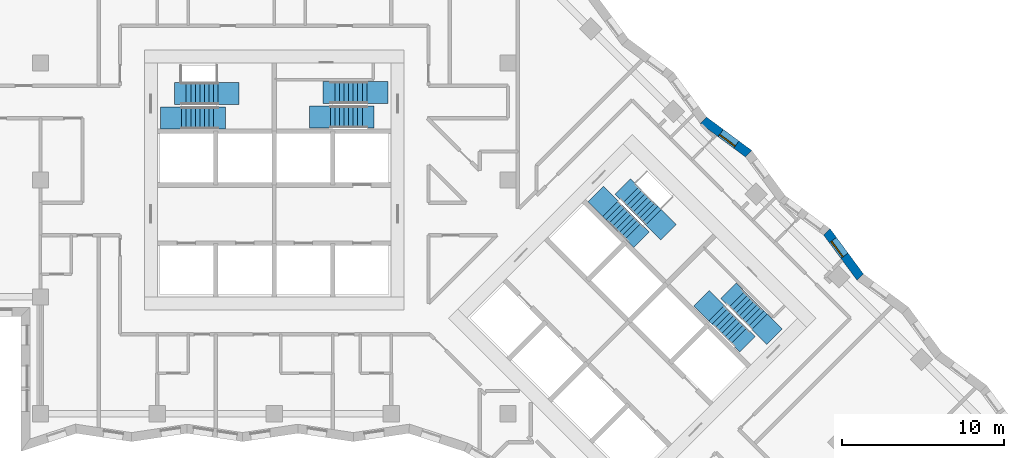
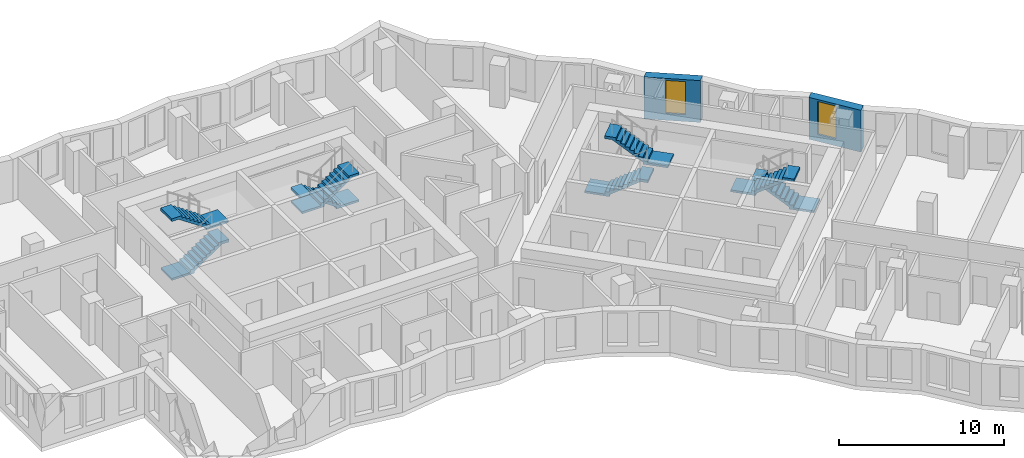
# One storey, part 11 of 13: 8 stair flights, 2 walls, 2 windows, 2 openings, 4 elements without a shape of their own.
"""IFC4 building model written with IfcOpenShell, lengths in metres."""

from ifc_helpers import new_model, si_unit, direction, frame, frame_2d, origin, place, context, subcontext, project, spatial, polyline, rectangle, outline, extrude, material, layer, layer_set, type_object, element, fill, aggregate, save


model = new_model("IFC4")

# Units and contexts
model_context = context("Model", 3, precision=1e-05, world=origin(), true_north=direction((0.0, 1.0)))
body_context = subcontext(model_context, "Body", "Model", "MODEL_VIEW")
ifc_project = project(units=[si_unit("LENGTHUNIT", "METRE"), si_unit("AREAUNIT", "SQUARE_METRE"), si_unit("VOLUMEUNIT", "CUBIC_METRE"), si_unit("PLANEANGLEUNIT", "RADIAN"), si_unit("MASSUNIT", "GRAM", prefix="KILO")], contexts=[model_context])

# Site, building, storey
site_placement = place(None, origin())
site = spatial("IfcSite", under=ifc_project, at=site_placement, CompositionType="ELEMENT")
building_placement = place(site_placement, origin())
building = spatial("IfcBuilding", under=site, at=building_placement, Name="Windrow Commons", CompositionType="ELEMENT")
storey_placement = place(building_placement, frame((0.0, 0.0, 105.0)))
storey = spatial("IfcBuildingStorey", under=building, at=storey_placement, Name="L28", CompositionType="ELEMENT", Elevation=105.0)

# Wall, opening, window
ifc_material_1 = material(Name="Brick masonry, red clay brick", Category="masonry")
ifc_layer = layer(ifc_material_1, 0.55)
ifc_layer_set = layer_set([ifc_layer], Name="Brick facade wall 550")
wall_type = type_object("IfcWallType", Name="Brick facade wall 550", PredefinedType="SOLIDWALL", material=ifc_layer_set)
wall_1_placement = place(storey_placement, frame((100.8839, 51.6199, 0.0), z_axis=(0.0, 0.0, 1.0), x_axis=(-0.5943168833, 0.8042309632, 0.0)))
wall_1 = element("IfcWall", 1, at=wall_1_placement, inside=storey, type_object=wall_type, Name="Brick facade wall L28 12", PredefinedType="SOLIDWALL", context=body_context, shape_type="SweptSolid", body=[
    extrude(outline(polyline([(0.0413, -0.275), (3.4907, -0.275), (3.4082, 0.275), (-0.0413, 0.275), (0.0413, -0.275)])), origin(), (0.0, 0.0, 1.0), 3.1),
])
opening_1_placement = place(wall_1_placement, frame((1.6312, 0.0, 0.5)))
opening_1 = element("IfcOpeningElement", 2, at=opening_1_placement, cuts=wall_1, Name="Opening W7D", PredefinedType="OPENING", context=body_context, shape_type="SweptSolid", body=[
    extrude(rectangle(XDim=1.2, YDim=2.45, at=frame_2d((0.6, 1.225))), frame((0.0, 0.285, 0.0), z_axis=(0.0, -1.0, 0.0), x_axis=(1.0, 0.0, 0.0)), (0.0, 0.0, 1.0), 0.57),
])
ifc_material_2 = material(Name="Clear float glass in anodised aluminium frame", Category="aluminium")
window_type = type_object("IfcWindowType", Name="Window W7 notch 1200x2450", PartitioningType="SINGLE_PANEL", PredefinedType="WINDOW", material=ifc_material_2)
window_1_placement = place(opening_1_placement, origin())
window_1 = element("IfcWindow", 3, at=window_1_placement, inside=storey, type_object=window_type, Name="Window L28 12.1", OverallHeight=2.45, OverallWidth=1.2, PartitioningType="SINGLE_PANEL", PredefinedType="WINDOW", context=body_context, shape_type="SweptSolid", body=[
    extrude(rectangle(XDim=1.2, YDim=2.45, at=frame_2d((0.6, 1.225))), frame((0.0, 0.155, 0.0), z_axis=(0.0, -1.0, 0.0), x_axis=(1.0, 0.0, 0.0)), (0.0, 0.0, 1.0), 0.06),
])
fill(opening_1, window_1)

wall_2_placement = place(storey_placement, frame((94.0095, 59.2183, 0.0), z_axis=(0.0, 0.0, 1.0), x_axis=(-0.8042207234, 0.5943307397, 0.0)))
wall_2 = element("IfcWall", 4, at=wall_2_placement, inside=storey, type_object=wall_type, Name="Brick facade wall L28 15", PredefinedType="SOLIDWALL", context=body_context, shape_type="SweptSolid", body=[
    extrude(outline(polyline([(-0.0413, -0.275), (3.4082, -0.275), (3.4907, 0.275), (0.0413, 0.275), (-0.0413, -0.275)])), origin(), (0.0, 0.0, 1.0), 3.1),
])
opening_2_placement = place(wall_2_placement, frame((0.9382, 0.0, 0.5)))
opening_2 = element("IfcOpeningElement", 5, at=opening_2_placement, cuts=wall_2, Name="Opening W7D", PredefinedType="OPENING", context=body_context, shape_type="SweptSolid", body=[
    extrude(rectangle(XDim=1.2, YDim=2.45, at=frame_2d((0.6, 1.225))), frame((0.0, 0.285, 0.0), z_axis=(0.0, -1.0, 0.0), x_axis=(1.0, 0.0, 0.0)), (0.0, 0.0, 1.0), 0.57),
])
window_2_placement = place(opening_2_placement, origin())
window_2 = element("IfcWindow", 6, at=window_2_placement, inside=storey, type_object=window_type, Name="Window L28 15.1", OverallHeight=2.45, OverallWidth=1.2, PartitioningType="SINGLE_PANEL", PredefinedType="WINDOW", context=body_context, shape_type="SweptSolid", body=[
    extrude(rectangle(XDim=1.2, YDim=2.45, at=frame_2d((0.6, 1.225))), frame((0.0, 0.155, 0.0), z_axis=(0.0, -1.0, 0.0), x_axis=(1.0, 0.0, 0.0)), (0.0, 0.0, 1.0), 0.06),
])
fill(opening_2, window_2)

# Stair, stair flights
ifc_material_3 = material(Name="Concrete C40/50", Category="concrete")
stair_type = type_object("IfcStairType", Name="Core stair", PredefinedType="HALF_TURN_STAIR", material=ifc_material_3)
placement = place(storey_placement, origin())
stair_1 = element("IfcStair", 7, at=placement, inside=storey, type_object=stair_type, Name="L28 Exit stair A1 core A", PredefinedType="HALF_TURN_STAIR")
ifc_material_4 = material(Name="Concrete C40/50", Category="concrete")
stair_flight_type = type_object("IfcStairFlightType", Name="Core stair flight", PredefinedType="STRAIGHT", material=ifc_material_4)
stair_flight_1_placement = place(storey_placement, frame((59.1, 61.425, 0.0), z_axis=(0.0, 0.0, 1.0), x_axis=(1.0, 0.0, 0.0)))
stair_flight_1 = element("IfcStairFlight", 8, at=stair_flight_1_placement, type_object=stair_flight_type, Name="ST-A1 flight 1", NumberOfRisers=9, NumberOfTreads=8, PredefinedType="STRAIGHT", RiserHeight=0.188888889, TreadLength=0.28, context=body_context, shape_type="SweptSolid", body=[
    extrude(outline(polyline([(-1.3, -0.15), (-1.3, 0.0), (0.0, 0.0), (0.0, 0.1889), (0.28, 0.1889), (0.28, 0.3778), (0.56, 0.3778), (0.56, 0.5667), (0.84, 0.5667), (0.84, 0.7556), (1.12, 0.7556), (1.12, 0.9444), (1.4, 0.9444), (1.4, 1.1333), (1.68, 1.1333), (1.68, 1.3222), (1.96, 1.3222), (1.96, 1.5111), (2.24, 1.5111), (2.69, 1.5111), (2.69, 1.3111), (2.24, 1.3111), (2.24, 1.3302), (0.2682, 0.0), (0.2682, -0.15), (-1.3, -0.15)])), frame((0.0, 0.675, 0.0), z_axis=(0.0, -1.0, 0.0), x_axis=(1.0, 0.0, 0.0)), (0.0, 0.0, 1.0), 1.35),
])
stair_flight_2_placement = place(storey_placement, frame((61.34, 62.925, 1.7), z_axis=(0.0, 0.0, 1.0), x_axis=(-1.0, 0.0, 0.0)))
stair_flight_2 = element("IfcStairFlight", 9, at=stair_flight_2_placement, type_object=stair_flight_type, Name="ST-A1 flight 2", NumberOfRisers=9, NumberOfTreads=8, PredefinedType="STRAIGHT", RiserHeight=0.188888889, TreadLength=0.28, context=body_context, shape_type="SweptSolid", body=[
    extrude(outline(polyline([(-1.3, -0.15), (-1.3, 0.0), (0.0, 0.0), (0.0, 0.1889), (0.28, 0.1889), (0.28, 0.3778), (0.56, 0.3778), (0.56, 0.5667), (0.84, 0.5667), (0.84, 0.7556), (1.12, 0.7556), (1.12, 0.9444), (1.4, 0.9444), (1.4, 1.1333), (1.68, 1.1333), (1.68, 1.3222), (1.96, 1.3222), (1.96, 1.5111), (2.24, 1.5111), (2.69, 1.5111), (2.69, 1.3111), (2.24, 1.3111), (2.24, 1.3302), (0.2682, 0.0), (0.2682, -0.15), (-1.3, -0.15)])), frame((0.0, 0.675, 0.0), z_axis=(0.0, -1.0, 0.0), x_axis=(1.0, 0.0, 0.0)), (0.0, 0.0, 1.0), 1.35),
])
aggregate(stair_1, [stair_flight_1, stair_flight_2])

stair_2 = element("IfcStair", 10, at=placement, inside=storey, type_object=stair_type, Name="L28 Exit stair A2 core A", PredefinedType="HALF_TURN_STAIR")
stair_flight_3_placement = place(storey_placement, frame((70.5, 62.98, 0.0), z_axis=(0.0, 0.0, 1.0), x_axis=(-1.0, 0.0, 0.0)))
stair_flight_3 = element("IfcStairFlight", 11, at=stair_flight_3_placement, type_object=stair_flight_type, Name="ST-A2 flight 1", NumberOfRisers=9, NumberOfTreads=8, PredefinedType="STRAIGHT", RiserHeight=0.188888889, TreadLength=0.28, context=body_context, shape_type="SweptSolid", body=[
    extrude(outline(polyline([(-1.3, -0.15), (-1.3, 0.0), (0.0, 0.0), (0.0, 0.1889), (0.28, 0.1889), (0.28, 0.3778), (0.56, 0.3778), (0.56, 0.5667), (0.84, 0.5667), (0.84, 0.7556), (1.12, 0.7556), (1.12, 0.9444), (1.4, 0.9444), (1.4, 1.1333), (1.68, 1.1333), (1.68, 1.3222), (1.96, 1.3222), (1.96, 1.5111), (2.24, 1.5111), (2.69, 1.5111), (2.69, 1.3111), (2.24, 1.3111), (2.24, 1.3302), (0.2682, 0.0), (0.2682, -0.15), (-1.3, -0.15)])), frame((0.0, 0.675, 0.0), z_axis=(0.0, -1.0, 0.0), x_axis=(1.0, 0.0, 0.0)), (0.0, 0.0, 1.0), 1.35),
])
stair_flight_4_placement = place(storey_placement, frame((68.26, 61.48, 1.7), z_axis=(0.0, 0.0, 1.0), x_axis=(1.0, 0.0, 0.0)))
stair_flight_4 = element("IfcStairFlight", 12, at=stair_flight_4_placement, type_object=stair_flight_type, Name="ST-A2 flight 2", NumberOfRisers=9, NumberOfTreads=8, PredefinedType="STRAIGHT", RiserHeight=0.188888889, TreadLength=0.28, context=body_context, shape_type="SweptSolid", body=[
    extrude(outline(polyline([(-1.3, -0.15), (-1.3, 0.0), (0.0, 0.0), (0.0, 0.1889), (0.28, 0.1889), (0.28, 0.3778), (0.56, 0.3778), (0.56, 0.5667), (0.84, 0.5667), (0.84, 0.7556), (1.12, 0.7556), (1.12, 0.9444), (1.4, 0.9444), (1.4, 1.1333), (1.68, 1.1333), (1.68, 1.3222), (1.96, 1.3222), (1.96, 1.5111), (2.24, 1.5111), (2.69, 1.5111), (2.69, 1.3111), (2.24, 1.3111), (2.24, 1.3302), (0.2682, 0.0), (0.2682, -0.15), (-1.3, -0.15)])), frame((0.0, 0.675, 0.0), z_axis=(0.0, -1.0, 0.0), x_axis=(1.0, 0.0, 0.0)), (0.0, 0.0, 1.0), 1.35),
])
aggregate(stair_2, [stair_flight_3, stair_flight_4])

stair_3 = element("IfcStair", 13, at=placement, inside=storey, type_object=stair_type, Name="L28 Exit stair B1 core B", PredefinedType="HALF_TURN_STAIR")
stair_flight_5_placement = place(storey_placement, frame((85.5109, 55.8249, 0.0), z_axis=(0.0, 0.0, 1.0), x_axis=(0.7071067812, -0.7071067812, 0.0)))
stair_flight_5 = element("IfcStairFlight", 14, at=stair_flight_5_placement, type_object=stair_flight_type, Name="ST-B1 flight 1", NumberOfRisers=9, NumberOfTreads=8, PredefinedType="STRAIGHT", RiserHeight=0.188888889, TreadLength=0.28, context=body_context, shape_type="SweptSolid", body=[
    extrude(outline(polyline([(-1.3, -0.15), (-1.3, 0.0), (0.0, 0.0), (0.0, 0.1889), (0.28, 0.1889), (0.28, 0.3778), (0.56, 0.3778), (0.56, 0.5667), (0.84, 0.5667), (0.84, 0.7556), (1.12, 0.7556), (1.12, 0.9444), (1.4, 0.9444), (1.4, 1.1333), (1.68, 1.1333), (1.68, 1.3222), (1.96, 1.3222), (1.96, 1.5111), (2.24, 1.5111), (2.69, 1.5111), (2.69, 1.3111), (2.24, 1.3111), (2.24, 1.3302), (0.2682, 0.0), (0.2682, -0.15), (-1.3, -0.15)])), frame((0.0, 0.675, 0.0), z_axis=(0.0, -1.0, 0.0), x_axis=(1.0, 0.0, 0.0)), (0.0, 0.0, 1.0), 1.35),
])
stair_flight_6_placement = place(storey_placement, frame((88.1555, 55.3017, 1.7), z_axis=(0.0, 0.0, 1.0), x_axis=(-0.7071067812, 0.7071067812, 0.0)))
stair_flight_6 = element("IfcStairFlight", 15, at=stair_flight_6_placement, type_object=stair_flight_type, Name="ST-B1 flight 2", NumberOfRisers=9, NumberOfTreads=8, PredefinedType="STRAIGHT", RiserHeight=0.188888889, TreadLength=0.28, context=body_context, shape_type="SweptSolid", body=[
    extrude(outline(polyline([(-1.3, -0.15), (-1.3, 0.0), (0.0, 0.0), (0.0, 0.1889), (0.28, 0.1889), (0.28, 0.3778), (0.56, 0.3778), (0.56, 0.5667), (0.84, 0.5667), (0.84, 0.7556), (1.12, 0.7556), (1.12, 0.9444), (1.4, 0.9444), (1.4, 1.1333), (1.68, 1.1333), (1.68, 1.3222), (1.96, 1.3222), (1.96, 1.5111), (2.24, 1.5111), (2.69, 1.5111), (2.69, 1.3111), (2.24, 1.3111), (2.24, 1.3302), (0.2682, 0.0), (0.2682, -0.15), (-1.3, -0.15)])), frame((0.0, 0.675, 0.0), z_axis=(0.0, -1.0, 0.0), x_axis=(1.0, 0.0, 0.0)), (0.0, 0.0, 1.0), 1.35),
])
aggregate(stair_3, [stair_flight_5, stair_flight_6])

stair_4 = element("IfcStair", 16, at=placement, inside=storey, type_object=stair_type, Name="L28 Exit stair B2 core B", PredefinedType="HALF_TURN_STAIR")
stair_flight_7_placement = place(storey_placement, frame((94.6715, 48.8635, 0.0), z_axis=(0.0, 0.0, 1.0), x_axis=(-0.7071067812, 0.7071067812, 0.0)))
stair_flight_7 = element("IfcStairFlight", 17, at=stair_flight_7_placement, type_object=stair_flight_type, Name="ST-B2 flight 1", NumberOfRisers=9, NumberOfTreads=8, PredefinedType="STRAIGHT", RiserHeight=0.188888889, TreadLength=0.28, context=body_context, shape_type="SweptSolid", body=[
    extrude(outline(polyline([(-1.3, -0.15), (-1.3, 0.0), (0.0, 0.0), (0.0, 0.1889), (0.28, 0.1889), (0.28, 0.3778), (0.56, 0.3778), (0.56, 0.5667), (0.84, 0.5667), (0.84, 0.7556), (1.12, 0.7556), (1.12, 0.9444), (1.4, 0.9444), (1.4, 1.1333), (1.68, 1.1333), (1.68, 1.3222), (1.96, 1.3222), (1.96, 1.5111), (2.24, 1.5111), (2.69, 1.5111), (2.69, 1.3111), (2.24, 1.3111), (2.24, 1.3302), (0.2682, 0.0), (0.2682, -0.15), (-1.3, -0.15)])), frame((0.0, 0.675, 0.0), z_axis=(0.0, -1.0, 0.0), x_axis=(1.0, 0.0, 0.0)), (0.0, 0.0, 1.0), 1.35),
])
stair_flight_8_placement = place(storey_placement, frame((92.0269, 49.3867, 1.7), z_axis=(0.0, 0.0, 1.0), x_axis=(0.7071067812, -0.7071067812, 0.0)))
stair_flight_8 = element("IfcStairFlight", 18, at=stair_flight_8_placement, type_object=stair_flight_type, Name="ST-B2 flight 2", NumberOfRisers=9, NumberOfTreads=8, PredefinedType="STRAIGHT", RiserHeight=0.188888889, TreadLength=0.28, context=body_context, shape_type="SweptSolid", body=[
    extrude(outline(polyline([(-1.3, -0.15), (-1.3, 0.0), (0.0, 0.0), (0.0, 0.1889), (0.28, 0.1889), (0.28, 0.3778), (0.56, 0.3778), (0.56, 0.5667), (0.84, 0.5667), (0.84, 0.7556), (1.12, 0.7556), (1.12, 0.9444), (1.4, 0.9444), (1.4, 1.1333), (1.68, 1.1333), (1.68, 1.3222), (1.96, 1.3222), (1.96, 1.5111), (2.24, 1.5111), (2.69, 1.5111), (2.69, 1.3111), (2.24, 1.3111), (2.24, 1.3302), (0.2682, 0.0), (0.2682, -0.15), (-1.3, -0.15)])), frame((0.0, 0.675, 0.0), z_axis=(0.0, -1.0, 0.0), x_axis=(1.0, 0.0, 0.0)), (0.0, 0.0, 1.0), 1.35),
])
aggregate(stair_4, [stair_flight_7, stair_flight_8])

save(model, "model.ifc")
